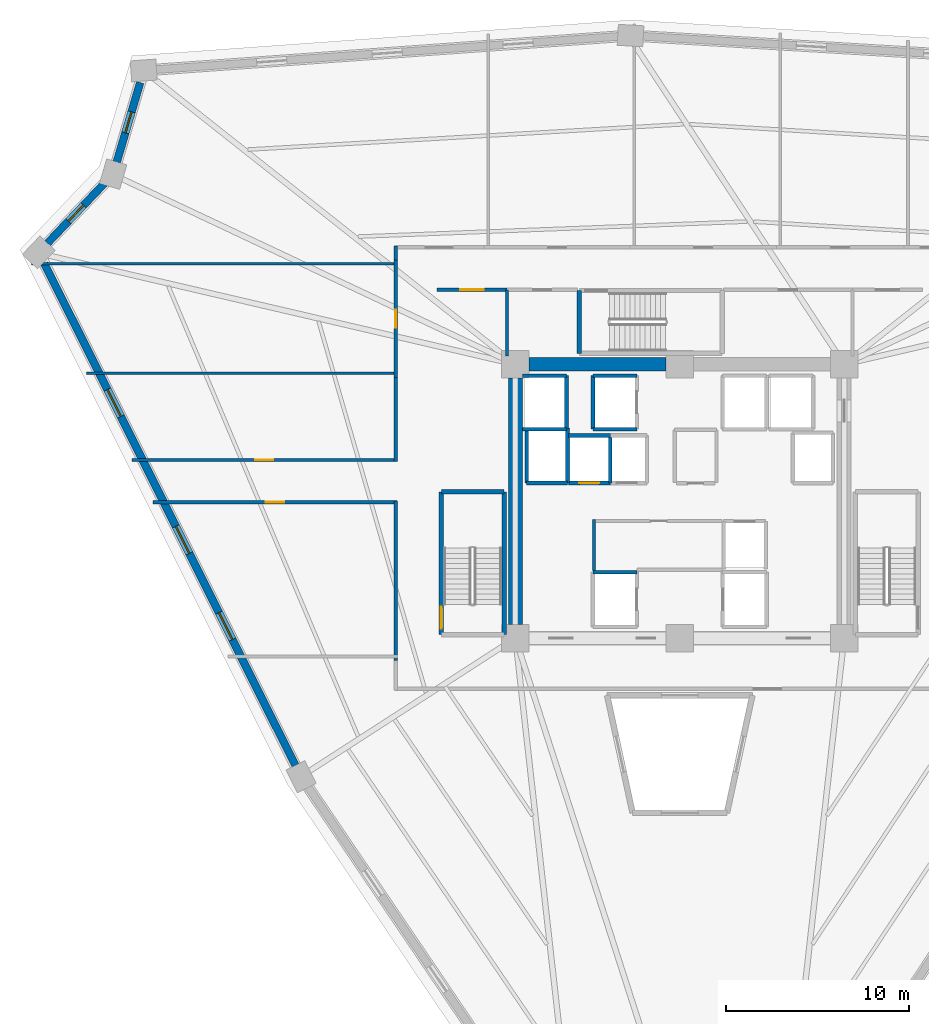
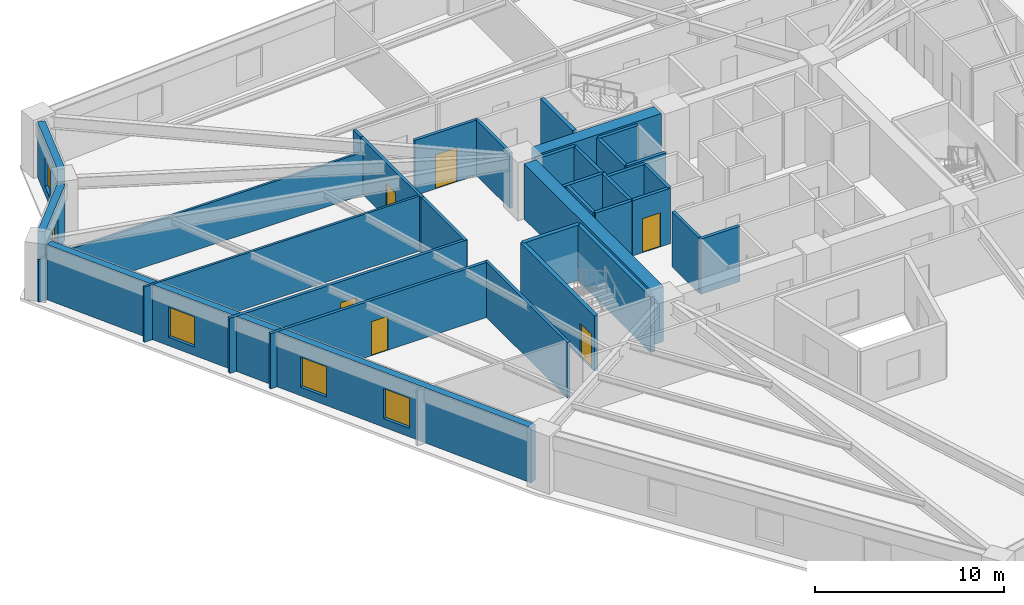
# One storey, part 4 of 8: 33 walls, 6 doors, 5 windows, 11 openings.
"""IFC4 building model written with IfcOpenShell, lengths in metres."""

from ifc_helpers import new_model, si_unit, direction, frame, frame_2d, origin, place, context, subcontext, project, spatial, rectangle, extrude, source, transform, mapped, material, layer, layer_set, type_object, element, fill, save


model = new_model("IFC4")

# Units and contexts
model_context = context("Model", 3, precision=1e-05, world=origin(), true_north=direction((0.0, 1.0)))
body_context = subcontext(model_context, "Body", "Model", "MODEL_VIEW")
ifc_project = project(units=[si_unit("LENGTHUNIT", "METRE"), si_unit("AREAUNIT", "SQUARE_METRE"), si_unit("VOLUMEUNIT", "CUBIC_METRE"), si_unit("PLANEANGLEUNIT", "RADIAN"), si_unit("MASSUNIT", "GRAM", prefix="KILO")], contexts=[model_context])

# Site, building, storey
site_placement = place(None, origin())
site = spatial("IfcSite", under=ifc_project, at=site_placement, CompositionType="ELEMENT")
building_placement = place(site_placement, origin())
building = spatial("IfcBuilding", under=site, at=building_placement, Name="Liaohun Quay Tower", CompositionType="ELEMENT")
storey_placement = place(building_placement, frame((0.0, 0.0, 162.75)))
storey = spatial("IfcBuildingStorey", under=building, at=storey_placement, Name="L42", CompositionType="ELEMENT", Elevation=162.75)

# Walls
ifc_material_1 = material(Name="Concrete C60", Category="concrete")
ifc_layer_1 = layer(ifc_material_1, 0.75, Name="Concrete C60", Category="concrete")
ifc_layer_set_1 = layer_set([ifc_layer_1], Name="Concrete C60")
wall_type_1 = type_object("IfcWallType", Name="WAL-COR-Z2", PredefinedType="SHEAR", material=ifc_layer_set_1)
wall_1_placement = place(storey_placement, frame((51.75, 61.5, 0.0), z_axis=(0.0, 0.0, 1.0), x_axis=(1.0, 0.0, 0.0)))
element("IfcWall", 1, at=wall_1_placement, inside=storey, type_object=wall_type_1, Name="L42 Central Core Shear Wall N-W", PredefinedType="SHEAR", context=body_context, shape_type="SweptSolid", body=[
    extrude(rectangle(XDim=7.5, YDim=0.75, at=frame_2d((3.75, 0.0))), origin(), (0.0, 0.0, 1.0), 3.570068359375),
])
wall_2_placement = place(storey_placement, frame((51.0, 47.25, 0.0), z_axis=(0.0, 0.0, 1.0), x_axis=(0.0, 1.0, 0.0)))
element("IfcWall", 2, at=wall_2_placement, inside=storey, type_object=wall_type_1, Name="L42 Central Core Shear Wall W", PredefinedType="SHEAR", context=body_context, shape_type="SweptSolid", body=[
    extrude(rectangle(XDim=13.5, YDim=0.75, at=frame_2d((6.75, 0.0))), origin(), (0.0, 0.0, 1.0), 3.570068359375),
])

# Wall, opening, window
ifc_material_2 = material(Name="Precast concrete C50 insulated sandwich", Category="concrete")
ifc_layer_2 = layer(ifc_material_2, 0.419921875, Name="Precast concrete C50 insulated sandwich", Category="concrete")
ifc_layer_set_2 = layer_set([ifc_layer_2], Name="Precast concrete C50 insulated sandwich")
wall_type_2 = type_object("IfcWallType", Name="WAL-EXT-Z12", PredefinedType="SOLIDWALL", material=ifc_layer_set_2)
wall_3_placement = place(storey_placement, frame((30.449951171875, 76.929931640625, 0.0), z_axis=(0.0, 0.0, 1.0), x_axis=(-0.282903082649, -0.959148500404, 0.0)))
wall_3 = element("IfcWall", 3, at=wall_3_placement, inside=storey, type_object=wall_type_2, Name="L42 Brutalist Precast Pier Wall 08", PredefinedType="SOLIDWALL", context=body_context, shape_type="SweptSolid", body=[
    extrude(rectangle(XDim=4.538330078125, YDim=0.419921875, at=frame_2d((2.26904296875, 0.0))), origin(), (0.0, 0.0, 1.0), 3.570068359375),
])
shared_shape_1 = source(origin(), body_context, "Body", "SweptSolid", [
    extrude(rectangle(XDim=1.199951171875, YDim=1.89990234375, at=frame_2d((0.60009765625, 0.949951171875))), frame((0.0, 0.219970703125, 0.0), z_axis=(0.0, -1.0, 0.0), x_axis=(1.0, 0.0, 0.0)), (0.0, 0.0, 1.0), 0.43994140625),
])
opening_1_placement = place(wall_3_placement, frame((1.6689453125, 0.0, 0.550048828125)))
opening_1 = element("IfcOpeningElement", 4, at=opening_1_placement, cuts=wall_3, Name="Opening W05", PredefinedType="OPENING", context=body_context, shape_type="MappedRepresentation", body=[
    mapped(shared_shape_1, transform((0.0, 0.0, 0.0), x_axis=(1.0, 0.0, 0.0), y_axis=(0.0, 1.0, 0.0), z_axis=(0.0, 0.0, 1.0), scale=1.0)),
])
ifc_material_3 = material(Name="Triple Low-E corner notch glazing", Category="glass")
window_type_1 = type_object("IfcWindowType", Name="WIN-NOTCH", PartitioningType="SINGLE_PANEL", PredefinedType="WINDOW", material=ifc_material_3)
shared_shape_2 = source(origin(), body_context, "Body", "SweptSolid", [
    extrude(rectangle(XDim=1.199951171875, YDim=1.89990234375, at=frame_2d((0.60009765625, 0.949951171875))), frame((0.0, 0.030029296875, 0.0), z_axis=(0.0, -1.0, 0.0), x_axis=(1.0, 0.0, 0.0)), (0.0, 0.0, 1.0), 0.06005859375),
])
window_1_placement = place(opening_1_placement, origin())
window_1 = element("IfcWindow", 5, at=window_1_placement, inside=storey, type_object=window_type_1, Name="L42 Corner Notch Window W05-08", OverallHeight=1.89990234375, OverallWidth=1.199951171875, PartitioningType="SINGLE_PANEL", PredefinedType="WINDOW", context=body_context, shape_type="MappedRepresentation", body=[
    mapped(shared_shape_2, transform((0.0, 0.0, 0.0), x_axis=(1.0, 0.0, 0.0), y_axis=(0.0, 1.0, 0.0), z_axis=(0.0, 0.0, 1.0), scale=1.0)),
])
fill(opening_1, window_1)

wall_4_placement = place(storey_placement, frame((28.4951171875, 71.4150390625, 0.0), z_axis=(0.0, 0.0, 1.0), x_axis=(-0.68924618139, -0.724527226155, 0.0)))
wall_4 = element("IfcWall", 6, at=wall_4_placement, inside=storey, type_object=wall_type_2, Name="L42 Brutalist Precast Pier Wall 09", PredefinedType="SOLIDWALL", context=body_context, shape_type="SweptSolid", body=[
    extrude(rectangle(XDim=4.532470703125, YDim=0.419921875, at=frame_2d((2.26611328125, 0.0))), origin(), (0.0, 0.0, 1.0), 3.570068359375),
])
opening_2_placement = place(wall_4_placement, frame((1.666015625, 0.0, 0.550048828125)))
opening_2 = element("IfcOpeningElement", 7, at=opening_2_placement, cuts=wall_4, Name="Opening W05", PredefinedType="OPENING", context=body_context, shape_type="MappedRepresentation", body=[
    mapped(shared_shape_1, transform((0.0, 0.0, 0.0), x_axis=(1.0, 0.0, 0.0), y_axis=(0.0, 1.0, 0.0), z_axis=(0.0, 0.0, 1.0), scale=1.0)),
])
window_2_placement = place(opening_2_placement, origin())
window_2 = element("IfcWindow", 8, at=window_2_placement, inside=storey, type_object=window_type_1, Name="L42 Corner Notch Window W05-09", OverallHeight=1.89990234375, OverallWidth=1.199951171875, PartitioningType="SINGLE_PANEL", PredefinedType="WINDOW", context=body_context, shape_type="MappedRepresentation", body=[
    mapped(shared_shape_2, transform((0.0, 0.0, 0.0), x_axis=(1.0, 0.0, 0.0), y_axis=(0.0, 1.0, 0.0), z_axis=(0.0, 0.0, 1.0), scale=1.0)),
])
fill(opening_2, window_2)

# Wall, openings, windows
wall_5_placement = place(storey_placement, frame((25.2041015625, 67.013916015625, 0.0), z_axis=(0.0, 0.0, 1.0), x_axis=(0.447340705753, -0.894363624583, 0.0)))
wall_5 = element("IfcWall", 9, at=wall_5_placement, inside=storey, type_object=wall_type_2, Name="L42 Brutalist Precast Pier Wall 10", PredefinedType="SOLIDWALL", context=body_context, shape_type="SweptSolid", body=[
    extrude(rectangle(XDim=30.730224609375, YDim=0.419921875, at=frame_2d((15.365234375, 0.0))), origin(), (0.0, 0.0, 1.0), 3.570068359375),
])
shared_shape_3 = source(origin(), body_context, "Body", "SweptSolid", [
    extrude(rectangle(XDim=1.64990234375, YDim=1.949951171875, at=frame_2d((0.824951171875, 0.97509765625))), frame((0.0, 0.219970703125, 0.0), z_axis=(0.0, -1.0, 0.0), x_axis=(1.0, 0.0, 0.0)), (0.0, 0.0, 1.0), 0.43994140625),
])
opening_3_placement = place(wall_5_placement, frame((7.7080078125, 0.0, 0.550048828125)))
opening_3 = element("IfcOpeningElement", 10, at=opening_3_placement, cuts=wall_5, Name="Opening W02", PredefinedType="OPENING", context=body_context, shape_type="MappedRepresentation", body=[
    mapped(shared_shape_3, transform((0.0, 0.0, 0.0), x_axis=(1.0, 0.0, 0.0), y_axis=(0.0, 1.0, 0.0), z_axis=(0.0, 0.0, 1.0), scale=1.0)),
])
opening_4_placement = place(wall_5_placement, frame((16.090087890625, 0.0, 0.550048828125)))
opening_4 = element("IfcOpeningElement", 11, at=opening_4_placement, cuts=wall_5, Name="Opening W02", PredefinedType="OPENING", context=body_context, shape_type="MappedRepresentation", body=[
    mapped(shared_shape_3, transform((0.0, 0.0, 0.0), x_axis=(1.0, 0.0, 0.0), y_axis=(0.0, 1.0, 0.0), z_axis=(0.0, 0.0, 1.0), scale=1.0)),
])
opening_5_placement = place(wall_5_placement, frame((21.373046875, 0.0, 0.550048828125)))
opening_5 = element("IfcOpeningElement", 12, at=opening_5_placement, cuts=wall_5, Name="Opening W02", PredefinedType="OPENING", context=body_context, shape_type="MappedRepresentation", body=[
    mapped(shared_shape_3, transform((0.0, 0.0, 0.0), x_axis=(1.0, 0.0, 0.0), y_axis=(0.0, 1.0, 0.0), z_axis=(0.0, 0.0, 1.0), scale=1.0)),
])
ifc_material_4 = material(Name="Triple Low-E argon glazing in thermally broken aluminium", Category="aluminium")
window_type_2 = type_object("IfcWindowType", Name="WIN-PUN-Z2", PartitioningType="DOUBLE_PANEL_VERTICAL", PredefinedType="WINDOW", material=ifc_material_4)
shared_shape_4 = source(origin(), body_context, "Body", "SweptSolid", [
    extrude(rectangle(XDim=1.64990234375, YDim=1.949951171875, at=frame_2d((0.824951171875, 0.97509765625))), frame((0.0, 0.030029296875, 0.0), z_axis=(0.0, -1.0, 0.0), x_axis=(1.0, 0.0, 0.0)), (0.0, 0.0, 1.0), 0.06005859375),
])
window_3_placement = place(opening_3_placement, origin())
window_3 = element("IfcWindow", 13, at=window_3_placement, inside=storey, type_object=window_type_2, Name="L42 Recessed Cold-Climate Punched Window 10-1", OverallHeight=1.949951171875, OverallWidth=1.64990234375, PartitioningType="DOUBLE_PANEL_VERTICAL", PredefinedType="WINDOW", context=body_context, shape_type="MappedRepresentation", body=[
    mapped(shared_shape_4, transform((0.0, 0.0, 0.0), x_axis=(1.0, 0.0, 0.0), y_axis=(0.0, 1.0, 0.0), z_axis=(0.0, 0.0, 1.0), scale=1.0)),
])
fill(opening_3, window_3)
window_4_placement = place(opening_4_placement, origin())
window_4 = element("IfcWindow", 14, at=window_4_placement, inside=storey, type_object=window_type_2, Name="L42 Recessed Cold-Climate Punched Window 10-2", OverallHeight=1.949951171875, OverallWidth=1.64990234375, PartitioningType="DOUBLE_PANEL_VERTICAL", PredefinedType="WINDOW", context=body_context, shape_type="MappedRepresentation", body=[
    mapped(shared_shape_4, transform((0.0, 0.0, 0.0), x_axis=(1.0, 0.0, 0.0), y_axis=(0.0, 1.0, 0.0), z_axis=(0.0, 0.0, 1.0), scale=1.0)),
])
fill(opening_4, window_4)
window_5_placement = place(opening_5_placement, origin())
window_5 = element("IfcWindow", 15, at=window_5_placement, inside=storey, type_object=window_type_2, Name="L42 Recessed Cold-Climate Punched Window 10-3", OverallHeight=1.949951171875, OverallWidth=1.64990234375, PartitioningType="DOUBLE_PANEL_VERTICAL", PredefinedType="WINDOW", context=body_context, shape_type="MappedRepresentation", body=[
    mapped(shared_shape_4, transform((0.0, 0.0, 0.0), x_axis=(1.0, 0.0, 0.0), y_axis=(0.0, 1.0, 0.0), z_axis=(0.0, 0.0, 1.0), scale=1.0)),
])
fill(opening_5, window_5)

# Wall, opening, door
ifc_material_5 = material(Name="Autoclaved aerated concrete blockwork", Category="masonry")
ifc_layer_3 = layer(ifc_material_5, 0.179931640625, Name="Autoclaved aerated concrete blockwork", Category="masonry")
ifc_layer_set_3 = layer_set([ifc_layer_3], Name="Autoclaved aerated concrete blockwork")
wall_type_3 = type_object("IfcWallType", Name="WAL-PRT-COR", PredefinedType="PARTITIONING", material=ifc_layer_set_3)
wall_6_placement = place(storey_placement, frame((46.699951171875, 65.580078125, 0.0), z_axis=(0.0, 0.0, 1.0), x_axis=(1.0, 0.0, 0.0)))
wall_6 = element("IfcWall", 16, at=wall_6_placement, inside=storey, type_object=wall_type_3, Name="L42 Interior Partition Wall 008", PredefinedType="PARTITIONING", context=body_context, shape_type="SweptSolid", body=[
    extrude(rectangle(XDim=3.840087890625, YDim=0.179931640625, at=frame_2d((1.919921875, 0.0))), origin(), (0.0, 0.0, 1.0), 3.570068359375),
])
shared_shape_5 = source(origin(), body_context, "Body", "SweptSolid", [
    extrude(rectangle(XDim=1.300048828125, YDim=2.199951171875, at=frame_2d((0.64990234375, 1.10009765625))), frame((0.0, 0.099853515625, 0.0), z_axis=(0.0, -1.0, 0.0), x_axis=(1.0, 0.0, 0.0)), (0.0, 0.0, 1.0), 0.199951171875),
])
opening_6_placement = place(wall_6_placement, frame((1.27001953125, 0.0, 0.0)))
opening_6 = element("IfcOpeningElement", 17, at=opening_6_placement, cuts=wall_6, Name="Opening FD1", PredefinedType="OPENING", context=body_context, shape_type="MappedRepresentation", body=[
    mapped(shared_shape_5, transform((0.0, 0.0, 0.0), x_axis=(1.0, 0.0, 0.0), y_axis=(0.0, 1.0, 0.0), z_axis=(0.0, 0.0, 1.0), scale=1.0)),
])
ifc_material_6 = material(Name="Galvanised steel smokeproof fire door", Category="steel")
door_type_1 = type_object("IfcDoorType", Name="DOR-FFL-1300", OperationType="NOTDEFINED", PredefinedType="DOOR", material=ifc_material_6)
shared_shape_6 = source(origin(), body_context, "Body", "SweptSolid", [
    extrude(rectangle(XDim=1.300048828125, YDim=2.199951171875, at=frame_2d((0.64990234375, 1.10009765625))), frame((0.0, 0.02490234375, 0.0), z_axis=(0.0, -1.0, 0.0), x_axis=(1.0, 0.0, 0.0)), (0.0, 0.0, 1.0), 0.050048828125),
])
door_1_placement = place(opening_6_placement, origin())
door_1 = element("IfcDoor", 18, at=door_1_placement, inside=storey, type_object=door_type_1, Name="L42 West Core Vestibule Door", OperationType="SINGLE_SWING_RIGHT", OverallHeight=2.199951171875, OverallWidth=1.300048828125, PredefinedType="DOOR", context=body_context, shape_type="MappedRepresentation", body=[
    mapped(shared_shape_6, transform((0.0, 0.0, 0.0), x_axis=(1.0, 0.0, 0.0), y_axis=(0.0, 1.0, 0.0), z_axis=(0.0, 0.0, 1.0), scale=1.0)),
])
fill(opening_6, door_1)

wall_7_placement = place(storey_placement, frame((44.43994140625, 60.784912109375, 0.0), z_axis=(0.0, 0.0, 1.0), x_axis=(0.0, 1.0, 0.0)))
wall_7 = element("IfcWall", 19, at=wall_7_placement, inside=storey, type_object=wall_type_3, Name="L42 Interior Partition Wall 016", PredefinedType="PARTITIONING", context=body_context, shape_type="SweptSolid", body=[
    extrude(rectangle(XDim=6.43017578125, YDim=0.179931640625, at=frame_2d((3.215087890625, 0.0))), origin(), (0.0, 0.0, 1.0), 3.570068359375),
])
shared_shape_7 = source(origin(), body_context, "Body", "SweptSolid", [
    extrude(rectangle(XDim=1.0, YDim=2.199951171875, at=frame_2d((0.5, 1.10009765625))), frame((0.0, 0.099853515625, 0.0), z_axis=(0.0, -1.0, 0.0), x_axis=(1.0, 0.0, 0.0)), (0.0, 0.0, 1.0), 0.199951171875),
])
opening_7_placement = place(wall_7_placement, frame((2.715087890625, 0.0, 0.0)))
opening_7 = element("IfcOpeningElement", 20, at=opening_7_placement, cuts=wall_7, Name="Opening OD1", PredefinedType="OPENING", context=body_context, shape_type="MappedRepresentation", body=[
    mapped(shared_shape_7, transform((0.0, 0.0, 0.0), x_axis=(1.0, 0.0, 0.0), y_axis=(0.0, 1.0, 0.0), z_axis=(0.0, 0.0, 1.0), scale=1.0)),
])
ifc_material_7 = material(Name="Solid-core oak veneer timber leaf in steel frame", Category="steel")
door_type_2 = type_object("IfcDoorType", Name="DOR-OFF-1000", OperationType="NOTDEFINED", PredefinedType="DOOR", material=ifc_material_7)
shared_shape_8 = source(origin(), body_context, "Body", "SweptSolid", [
    extrude(rectangle(XDim=1.0, YDim=2.199951171875, at=frame_2d((0.5, 1.10009765625))), frame((0.0, 0.02490234375, 0.0), z_axis=(0.0, -1.0, 0.0), x_axis=(1.0, 0.0, 0.0)), (0.0, 0.0, 1.0), 0.050048828125),
])
door_2_placement = place(opening_7_placement, origin())
door_2 = element("IfcDoor", 21, at=door_2_placement, inside=storey, type_object=door_type_2, Name="L42 Technical Reference Library 07 Door", OperationType="SINGLE_SWING_RIGHT", OverallHeight=2.199951171875, OverallWidth=1.0, PredefinedType="DOOR", context=body_context, shape_type="MappedRepresentation", body=[
    mapped(shared_shape_8, transform((0.0, 0.0, 0.0), x_axis=(1.0, 0.0, 0.0), y_axis=(0.0, 1.0, 0.0), z_axis=(0.0, 0.0, 1.0), scale=1.0)),
])
fill(opening_7, door_2)

wall_8_placement = place(storey_placement, frame((29.988037109375, 56.260009765625, 0.0), z_axis=(0.0, 0.0, 1.0), x_axis=(1.0, 0.0, 0.0)))
wall_8 = element("IfcWall", 22, at=wall_8_placement, inside=storey, type_object=wall_type_3, Name="L42 Interior Partition Wall 017", PredefinedType="PARTITIONING", context=body_context, shape_type="SweptSolid", body=[
    extrude(rectangle(XDim=14.52197265625, YDim=0.179931640625, at=frame_2d((7.260986328125, 0.0))), origin(), (0.0, 0.0, 1.0), 3.570068359375),
])
opening_8_placement = place(wall_8_placement, frame((6.760986328125, 0.0, 0.0)))
opening_8 = element("IfcOpeningElement", 23, at=opening_8_placement, cuts=wall_8, Name="Opening OD1", PredefinedType="OPENING", context=body_context, shape_type="MappedRepresentation", body=[
    mapped(shared_shape_7, transform((0.0, 0.0, 0.0), x_axis=(1.0, 0.0, 0.0), y_axis=(0.0, 1.0, 0.0), z_axis=(0.0, 0.0, 1.0), scale=1.0)),
])
door_3_placement = place(opening_8_placement, origin())
door_3 = element("IfcDoor", 24, at=door_3_placement, inside=storey, type_object=door_type_2, Name="L42 Client Collaboration Lounge 08 Door", OperationType="SINGLE_SWING_LEFT", OverallHeight=2.199951171875, OverallWidth=1.0, PredefinedType="DOOR", context=body_context, shape_type="MappedRepresentation", body=[
    mapped(shared_shape_8, transform((0.0, 0.0, 0.0), x_axis=(1.0, 0.0, 0.0), y_axis=(0.0, 1.0, 0.0), z_axis=(0.0, 0.0, 1.0), scale=1.0)),
])
fill(opening_8, door_3)

wall_9_placement = place(storey_placement, frame((44.510009765625, 53.93994140625, 0.0), z_axis=(0.0, 0.0, 1.0), x_axis=(-1.0, 0.0, 0.0)))
wall_9 = element("IfcWall", 25, at=wall_9_placement, inside=storey, type_object=wall_type_3, Name="L42 Interior Partition Wall 018", PredefinedType="PARTITIONING", context=body_context, shape_type="SweptSolid", body=[
    extrude(rectangle(XDim=13.362060546875, YDim=0.179931640625, at=frame_2d((6.68115234375, 0.0))), origin(), (0.0, 0.0, 1.0), 3.570068359375),
])
opening_9_placement = place(wall_9_placement, frame((6.180908203125, 0.0, 0.0)))
opening_9 = element("IfcOpeningElement", 26, at=opening_9_placement, cuts=wall_9, Name="Opening OD1", PredefinedType="OPENING", context=body_context, shape_type="MappedRepresentation", body=[
    mapped(shared_shape_7, transform((0.0, 0.0, 0.0), x_axis=(1.0, 0.0, 0.0), y_axis=(0.0, 1.0, 0.0), z_axis=(0.0, 0.0, 1.0), scale=1.0)),
])
door_4_placement = place(opening_9_placement, origin())
door_4 = element("IfcDoor", 27, at=door_4_placement, inside=storey, type_object=door_type_2, Name="L42 Records Archive Store 09 Door", OperationType="SINGLE_SWING_RIGHT", OverallHeight=2.199951171875, OverallWidth=1.0, PredefinedType="DOOR", context=body_context, shape_type="MappedRepresentation", body=[
    mapped(shared_shape_8, transform((0.0, 0.0, 0.0), x_axis=(1.0, 0.0, 0.0), y_axis=(0.0, 1.0, 0.0), z_axis=(0.0, 0.0, 1.0), scale=1.0)),
])
fill(opening_9, door_4)

# Walls
wall_10_placement = place(storey_placement, frame((50.5400390625, 61.949951171875, 0.0), z_axis=(0.0, 0.0, 1.0), x_axis=(0.0, 1.0, 0.0)))
element("IfcWall", 28, at=wall_10_placement, inside=storey, type_object=wall_type_3, Name="L42 Interior Partition Wall 030", PredefinedType="PARTITIONING", context=body_context, shape_type="SweptSolid", body=[
    extrude(rectangle(XDim=3.630126953125, YDim=0.179931640625, at=frame_2d((1.81494140625, 0.0))), origin(), (0.0, 0.0, 1.0), 3.570068359375),
])
wall_11_placement = place(storey_placement, frame((44.43994140625, 67.215087890625, 0.0), z_axis=(0.0, 0.0, 1.0), x_axis=(0.0, 1.0, 0.0)))
element("IfcWall", 29, at=wall_11_placement, inside=storey, type_object=wall_type_3, Name="L42 Interior Partition Wall 034", PredefinedType="PARTITIONING", context=body_context, shape_type="SweptSolid", body=[
    extrude(rectangle(XDim=0.764892578125, YDim=0.179931640625, at=frame_2d((0.38232421875, 0.0))), origin(), (0.0, 0.0, 1.0), 3.570068359375),
])
wall_12_placement = place(storey_placement, frame((44.43994140625, 56.18994140625, 0.0), z_axis=(0.0, 0.0, 1.0), x_axis=(0.0, 1.0, 0.0)))
element("IfcWall", 30, at=wall_12_placement, inside=storey, type_object=wall_type_3, Name="L42 Interior Partition Wall 035", PredefinedType="PARTITIONING", context=body_context, shape_type="SweptSolid", body=[
    extrude(rectangle(XDim=4.594970703125, YDim=0.179931640625, at=frame_2d((2.29736328125, 0.0))), origin(), (0.0, 0.0, 1.0), 3.570068359375),
])
wall_13_placement = place(storey_placement, frame((44.43994140625, 45.284912109375, 0.0), z_axis=(0.0, 0.0, 1.0), x_axis=(0.0, 1.0, 0.0)))
element("IfcWall", 31, at=wall_13_placement, inside=storey, type_object=wall_type_3, Name="L42 Interior Partition Wall 036", PredefinedType="PARTITIONING", context=body_context, shape_type="SweptSolid", body=[
    extrude(rectangle(XDim=8.72509765625, YDim=0.179931640625, at=frame_2d((4.362548828125, 0.0))), origin(), (0.0, 0.0, 1.0), 3.570068359375),
])
wall_14_placement = place(storey_placement, frame((55.300048828125, 50.219970703125, 0.0), z_axis=(0.0, 0.0, 1.0), x_axis=(0.0, 1.0, 0.0)))
element("IfcWall", 32, at=wall_14_placement, inside=storey, type_object=wall_type_3, Name="L42 Interior Partition Wall 050", PredefinedType="PARTITIONING", context=body_context, shape_type="SweptSolid", body=[
    extrude(rectangle(XDim=2.7900390625, YDim=0.179931640625, at=frame_2d((1.39501953125, 0.0))), origin(), (0.0, 0.0, 1.0), 3.570068359375),
])
ifc_material_8 = material(Name="Gypsum board on twin steel studs", Category="steel")
ifc_layer_4 = layer(ifc_material_8, 0.139892578125, Name="Gypsum board on twin steel studs", Category="steel")
ifc_layer_set_4 = layer_set([ifc_layer_4], Name="Gypsum board on twin steel studs")
wall_type_4 = type_object("IfcWallType", Name="WAL-PRT-OFF", PredefinedType="PARTITIONING", material=ifc_layer_set_4)
wall_15_placement = place(storey_placement, frame((44.5400390625, 61.0, 0.0), z_axis=(0.0, 0.0, 1.0), x_axis=(-1.0, 0.0, 0.0)))
element("IfcWall", 33, at=wall_15_placement, inside=storey, type_object=wall_type_4, Name="L42 Interior Partition Wall 041", PredefinedType="PARTITIONING", context=body_context, shape_type="SweptSolid", body=[
    extrude(rectangle(XDim=17.031982421875, YDim=0.139892578125, at=frame_2d((8.51611328125, 0.0))), origin(), (0.0, 0.0, 1.0), 3.570068359375),
])
wall_16_placement = place(storey_placement, frame((44.5400390625, 67.0, 0.0), z_axis=(0.0, 0.0, 1.0), x_axis=(-1.0, 0.0, 0.0)))
element("IfcWall", 34, at=wall_16_placement, inside=storey, type_object=wall_type_4, Name="L42 Interior Partition Wall 042", PredefinedType="PARTITIONING", context=body_context, shape_type="SweptSolid", body=[
    extrude(rectangle(XDim=20.032958984375, YDim=0.139892578125, at=frame_2d((10.0166015625, 0.0))), origin(), (0.0, 0.0, 1.0), 2.7548828125),
])
ifc_material_9 = material(Name="Concrete C50", Category="concrete")
ifc_layer_5 = layer(ifc_material_9, 0.239990234375, Name="Concrete C50", Category="concrete")
ifc_layer_set_5 = layer_set([ifc_layer_5], Name="Concrete C50")
wall_type_5 = type_object("IfcWallType", Name="WAL-SHF-200", PredefinedType="SOLIDWALL", material=ifc_layer_set_5)
wall_17_placement = place(storey_placement, frame((50.3798828125, 46.699951171875, 0.0), z_axis=(0.0, 0.0, 1.0), x_axis=(0.0, 1.0, 0.0)))
element("IfcWall", 35, at=wall_17_placement, inside=storey, type_object=wall_type_5, Name="L42 Stairwell ST-1 Structural Core Wall E", PredefinedType="SOLIDWALL", context=body_context, shape_type="SweptSolid", body=[
    extrude(rectangle(XDim=7.820068359375, YDim=0.239990234375, at=frame_2d((3.91015625, 0.0))), origin(), (0.0, 0.0, 1.0), 3.570068359375),
])
wall_18_placement = place(storey_placement, frame((50.3798828125, 54.52001953125, 0.0), z_axis=(0.0, 0.0, 1.0), x_axis=(-1.0, 0.0, 0.0)))
element("IfcWall", 36, at=wall_18_placement, inside=storey, type_object=wall_type_5, Name="L42 Stairwell ST-1 Structural Core Wall N", PredefinedType="SOLIDWALL", context=body_context, shape_type="SweptSolid", body=[
    extrude(rectangle(XDim=3.43994140625, YDim=0.239990234375, at=frame_2d((1.719970703125, 0.0))), origin(), (0.0, 0.0, 1.0), 3.570068359375),
])

# Wall, opening, door
wall_19_placement = place(storey_placement, frame((46.93994140625, 54.52001953125, 0.0), z_axis=(0.0, 0.0, 1.0), x_axis=(0.0, -1.0, 0.0)))
wall_19 = element("IfcWall", 37, at=wall_19_placement, inside=storey, type_object=wall_type_5, Name="L42 Stairwell ST-1 Structural Core Wall W", PredefinedType="SOLIDWALL", context=body_context, shape_type="SweptSolid", body=[
    extrude(rectangle(XDim=7.820068359375, YDim=0.239990234375, at=frame_2d((3.91015625, 0.0))), origin(), (0.0, 0.0, 1.0), 3.570068359375),
])
shared_shape_9 = source(origin(), body_context, "Body", "SweptSolid", [
    extrude(rectangle(XDim=1.199951171875, YDim=2.199951171875, at=frame_2d((0.60009765625, 1.10009765625))), frame((0.0, 0.1298828125, 0.0), z_axis=(0.0, -1.0, 0.0), x_axis=(1.0, 0.0, 0.0)), (0.0, 0.0, 1.0), 0.260009765625),
])
opening_10_placement = place(wall_19_placement, frame((6.300048828125, 0.0, 0.0)))
opening_10 = element("IfcOpeningElement", 38, at=opening_10_placement, cuts=wall_19, Name="Opening SD1", PredefinedType="OPENING", context=body_context, shape_type="MappedRepresentation", body=[
    mapped(shared_shape_9, transform((0.0, 0.0, 0.0), x_axis=(1.0, 0.0, 0.0), y_axis=(0.0, 1.0, 0.0), z_axis=(0.0, 0.0, 1.0), scale=1.0)),
])
ifc_material_10 = material(Name="Galvanised steel fire door", Category="steel")
door_type_3 = type_object("IfcDoorType", Name="DOR-STR-1200", OperationType="NOTDEFINED", PredefinedType="DOOR", material=ifc_material_10)
shared_shape_10 = source(origin(), body_context, "Body", "SweptSolid", [
    extrude(rectangle(XDim=1.199951171875, YDim=2.199951171875, at=frame_2d((0.60009765625, 1.10009765625))), frame((0.0, 0.02490234375, 0.0), z_axis=(0.0, -1.0, 0.0), x_axis=(1.0, 0.0, 0.0)), (0.0, 0.0, 1.0), 0.050048828125),
])
door_5_placement = place(opening_10_placement, origin())
door_5 = element("IfcDoor", 39, at=door_5_placement, inside=storey, type_object=door_type_3, Name="L42 Protected Stair ST-1 Fire Door", OperationType="SINGLE_SWING_LEFT", OverallHeight=2.199951171875, OverallWidth=1.199951171875, PredefinedType="DOOR", context=body_context, shape_type="MappedRepresentation", body=[
    mapped(shared_shape_10, transform((0.0, 0.0, 0.0), x_axis=(1.0, 0.0, 0.0), y_axis=(0.0, 1.0, 0.0), z_axis=(0.0, 0.0, 1.0), scale=1.0)),
])
fill(opening_10, door_5)

# Walls
wall_20_placement = place(storey_placement, frame((54.5, 65.5400390625, 0.0), z_axis=(0.0, 0.0, 1.0), x_axis=(0.0, -1.0, 0.0)))
element("IfcWall", 40, at=wall_20_placement, inside=storey, type_object=wall_type_5, Name="L42 Stairwell ST-3 Structural Core Wall W", PredefinedType="SOLIDWALL", context=body_context, shape_type="SweptSolid", body=[
    extrude(rectangle(XDim=3.43994140625, YDim=0.239990234375, at=frame_2d((1.719970703125, 0.0))), origin(), (0.0, 0.0, 1.0), 3.570068359375),
])
for number, where, z_axis, x_axis, name in (
    (41, (57.64990234375, 50.1201171875, 0.0), (0.0, 0.0, 1.0), (-1.0, 0.0, 0.0), "L42 Lift FF-01 Hoistway Wall N"),
    (42, (55.25, 57.949951171875, 0.0), (0.0, 0.0, 1.0), (1.0, 0.0, 0.0), "L42 Lift FF-03 Hoistway Wall S"),
    (43, (57.64990234375, 60.8798828125, 0.0), (0.0, 0.0, 1.0), (-1.0, 0.0, 0.0), "L42 Lift FF-03 Hoistway Wall N"),
):
    element("IfcWall", number, at=place(storey_placement, frame(where, z_axis=z_axis, x_axis=x_axis)), inside=storey, type_object=wall_type_5, Name=name, PredefinedType="SOLIDWALL", context=body_context, shape_type="SweptSolid", body=[
        extrude(rectangle(XDim=2.39990234375, YDim=0.199951171875, at=frame_2d((1.199951171875, 0.0))), origin(), (0.0, 0.0, 1.0), 3.570068359375),
    ])
wall_21_placement = place(storey_placement, frame((55.25, 60.8798828125, 0.0), z_axis=(0.0, 0.0, 1.0), x_axis=(0.0, -1.0, 0.0)))
element("IfcWall", 44, at=wall_21_placement, inside=storey, type_object=wall_type_5, Name="L42 Lift FF-03 Hoistway Wall W", PredefinedType="SOLIDWALL", context=body_context, shape_type="SweptSolid", body=[
    extrude(rectangle(XDim=2.929931640625, YDim=0.199951171875, at=frame_2d((1.46484375, 0.0))), origin(), (0.0, 0.0, 1.0), 3.570068359375),
])
wall_22_placement = place(storey_placement, frame((51.39990234375, 57.949951171875, 0.0), z_axis=(0.0, 0.0, 1.0), x_axis=(1.0, 0.0, 0.0)))
element("IfcWall", 45, at=wall_22_placement, inside=storey, type_object=wall_type_5, Name="L42 Lift SH-01 Hoistway Wall S", PredefinedType="SOLIDWALL", context=body_context, shape_type="SweptSolid", body=[
    extrude(rectangle(XDim=2.400146484375, YDim=0.199951171875, at=frame_2d((1.2001953125, 0.0))), origin(), (0.0, 0.0, 1.0), 3.570068359375),
])
wall_23_placement = place(storey_placement, frame((53.800048828125, 57.949951171875, 0.0), z_axis=(0.0, 0.0, 1.0), x_axis=(0.0, 1.0, 0.0)))
element("IfcWall", 46, at=wall_23_placement, inside=storey, type_object=wall_type_5, Name="L42 Lift SH-01 Hoistway Wall E", PredefinedType="SOLIDWALL", context=body_context, shape_type="SweptSolid", body=[
    extrude(rectangle(XDim=2.929931640625, YDim=0.199951171875, at=frame_2d((1.46484375, 0.0))), origin(), (0.0, 0.0, 1.0), 3.570068359375),
])
wall_24_placement = place(storey_placement, frame((53.800048828125, 60.8798828125, 0.0), z_axis=(0.0, 0.0, 1.0), x_axis=(-1.0, 0.0, 0.0)))
element("IfcWall", 47, at=wall_24_placement, inside=storey, type_object=wall_type_5, Name="L42 Lift SH-01 Hoistway Wall N", PredefinedType="SOLIDWALL", context=body_context, shape_type="SweptSolid", body=[
    extrude(rectangle(XDim=2.400146484375, YDim=0.199951171875, at=frame_2d((1.2001953125, 0.0))), origin(), (0.0, 0.0, 1.0), 3.570068359375),
])
wall_25_placement = place(storey_placement, frame((51.6201171875, 55.0, 0.0), z_axis=(0.0, 0.0, 1.0), x_axis=(1.0, 0.0, 0.0)))
element("IfcWall", 48, at=wall_25_placement, inside=storey, type_object=wall_type_5, Name="L42 Lift SH-02 Hoistway Wall S", PredefinedType="SOLIDWALL", context=body_context, shape_type="SweptSolid", body=[
    extrude(rectangle(XDim=2.22998046875, YDim=0.199951171875, at=frame_2d((1.114990234375, 0.0))), origin(), (0.0, 0.0, 1.0), 3.570068359375),
])
for number, where, z_axis, x_axis, name in (
    (49, (53.85009765625, 55.0, 0.0), (0.0, 0.0, 1.0), (0.0, 1.0, 0.0), "L42 Lift SH-02 Hoistway Wall E"),
    (50, (51.6201171875, 58.0, 0.0), (0.0, 0.0, 1.0), (0.0, -1.0, 0.0), "L42 Lift SH-02 Hoistway Wall W"),
):
    element("IfcWall", number, at=place(storey_placement, frame(where, z_axis=z_axis, x_axis=x_axis)), inside=storey, type_object=wall_type_5, Name=name, PredefinedType="SOLIDWALL", context=body_context, shape_type="SweptSolid", body=[
        extrude(rectangle(XDim=3.0, YDim=0.199951171875, at=frame_2d((1.5, 0.0))), origin(), (0.0, 0.0, 1.0), 3.570068359375),
    ])

# Wall, opening, door
wall_26_placement = place(storey_placement, frame((53.89990234375, 55.0, 0.0), z_axis=(0.0, 0.0, 1.0), x_axis=(1.0, 0.0, 0.0)))
wall_26 = element("IfcWall", 51, at=wall_26_placement, inside=storey, type_object=wall_type_5, Name="L42 Lift PL-2B Hoistway Wall S", PredefinedType="SOLIDWALL", context=body_context, shape_type="SweptSolid", body=[
    extrude(rectangle(XDim=2.300048828125, YDim=0.199951171875, at=frame_2d((1.14990234375, 0.0))), origin(), (0.0, 0.0, 1.0), 3.570068359375),
])
shared_shape_11 = source(origin(), body_context, "Body", "SweptSolid", [
    extrude(rectangle(XDim=1.10009765625, YDim=2.199951171875, at=frame_2d((0.550048828125, 1.10009765625))), frame((0.0, 0.10986328125, 0.0), z_axis=(0.0, -1.0, 0.0), x_axis=(1.0, 0.0, 0.0)), (0.0, 0.0, 1.0), 0.219970703125),
])
opening_11_placement = place(wall_26_placement, frame((0.60009765625, 0.0, 0.0)))
opening_11 = element("IfcOpeningElement", 52, at=opening_11_placement, cuts=wall_26, Name="Opening LD1", PredefinedType="OPENING", context=body_context, shape_type="MappedRepresentation", body=[
    mapped(shared_shape_11, transform((0.0, 0.0, 0.0), x_axis=(1.0, 0.0, 0.0), y_axis=(0.0, 1.0, 0.0), z_axis=(0.0, 0.0, 1.0), scale=1.0)),
])
ifc_material_11 = material(Name="Brushed stainless steel landing door", Category="steel")
door_type_4 = type_object("IfcDoorType", Name="DOR-LFT-1100", OperationType="SLIDING_TO_LEFT", PredefinedType="DOOR", material=ifc_material_11)
shared_shape_12 = source(origin(), body_context, "Body", "SweptSolid", [
    extrude(rectangle(XDim=1.10009765625, YDim=2.199951171875, at=frame_2d((0.550048828125, 1.10009765625))), frame((0.0, 0.02490234375, 0.0), z_axis=(0.0, -1.0, 0.0), x_axis=(1.0, 0.0, 0.0)), (0.0, 0.0, 1.0), 0.050048828125),
])
door_6_placement = place(opening_11_placement, origin())
door_6 = element("IfcDoor", 53, at=door_6_placement, inside=storey, type_object=door_type_4, Name="L42 Lift PL-2B Sliding Landing Door", OperationType="SLIDING_TO_LEFT", OverallHeight=2.199951171875, OverallWidth=1.10009765625, PredefinedType="DOOR", context=body_context, shape_type="MappedRepresentation", body=[
    mapped(shared_shape_12, transform((0.0, 0.0, 0.0), x_axis=(1.0, 0.0, 0.0), y_axis=(0.0, 1.0, 0.0), z_axis=(0.0, 0.0, 1.0), scale=1.0)),
])
fill(opening_11, door_6)

# Walls
wall_27_placement = place(storey_placement, frame((56.199951171875, 55.0, 0.0), z_axis=(0.0, 0.0, 1.0), x_axis=(0.0, 1.0, 0.0)))
element("IfcWall", 54, at=wall_27_placement, inside=storey, type_object=wall_type_5, Name="L42 Lift PL-2B Hoistway Wall E", PredefinedType="SOLIDWALL", context=body_context, shape_type="SweptSolid", body=[
    extrude(rectangle(XDim=2.60009765625, YDim=0.199951171875, at=frame_2d((1.300048828125, 0.0))), origin(), (0.0, 0.0, 1.0), 3.570068359375),
])
wall_28_placement = place(storey_placement, frame((56.199951171875, 57.60009765625, 0.0), z_axis=(0.0, 0.0, 1.0), x_axis=(-1.0, 0.0, 0.0)))
element("IfcWall", 55, at=wall_28_placement, inside=storey, type_object=wall_type_5, Name="L42 Lift PL-2B Hoistway Wall N", PredefinedType="SOLIDWALL", context=body_context, shape_type="SweptSolid", body=[
    extrude(rectangle(XDim=2.300048828125, YDim=0.199951171875, at=frame_2d((1.14990234375, 0.0))), origin(), (0.0, 0.0, 1.0), 3.570068359375),
])

save(model, "model.ifc")
